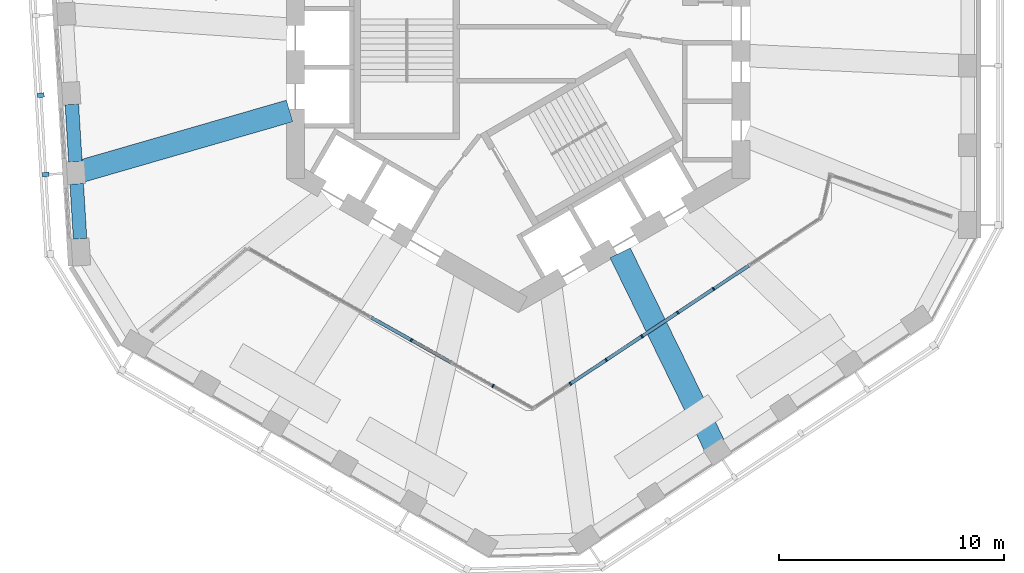
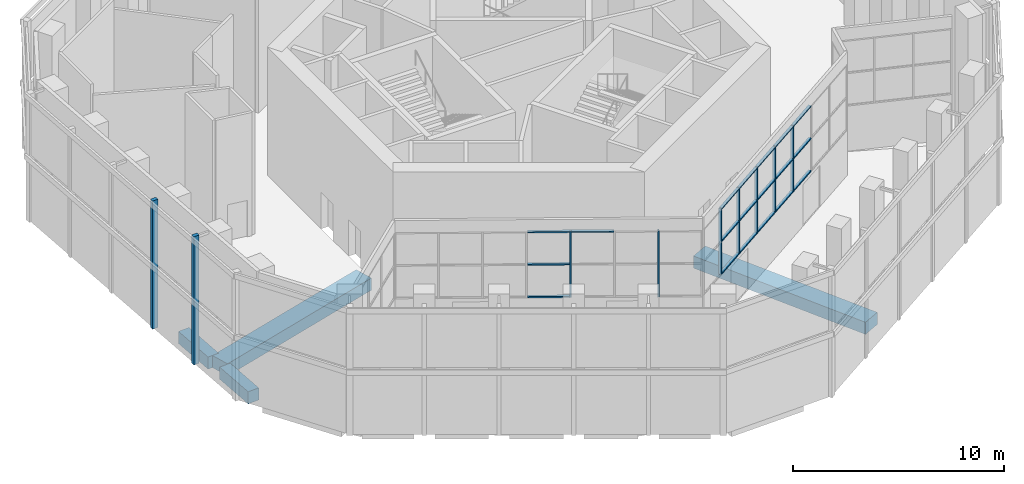
# One storey, part 3 of 17: 28 members, 4 beams, 3 elements without a shape of their own.
"""IFC4 building model written with IfcOpenShell, lengths in metres."""

from ifc_helpers import new_model, si_unit, direction, frame, origin, origin_2d, place, context, subcontext, project, spatial, rectangle, extrude, material, material_profile, profile_set, type_object, element, aggregate, save


model = new_model("IFC4")

# Units and contexts
model_context = context("Model", 3, precision=1e-05, world=origin(), true_north=direction((0.0, 1.0)))
body_context = subcontext(model_context, "Body", "Model", "MODEL_VIEW")
ifc_project = project(units=[si_unit("LENGTHUNIT", "METRE"), si_unit("AREAUNIT", "SQUARE_METRE"), si_unit("VOLUMEUNIT", "CUBIC_METRE"), si_unit("PLANEANGLEUNIT", "RADIAN"), si_unit("MASSUNIT", "GRAM", prefix="KILO")], contexts=[model_context])

# Site, building, storey
site_placement = place(None, origin())
site = spatial("IfcSite", under=ifc_project, at=site_placement, CompositionType="ELEMENT")
building_placement = place(site_placement, origin())
building = spatial("IfcBuilding", under=site, at=building_placement, Name="Vanh Sen Convention Tower", CompositionType="ELEMENT")
storey_placement = place(building_placement, frame((0.0, 0.0, 214.300048828125)))
storey = spatial("IfcBuildingStorey", under=building, at=storey_placement, Name="L53", CompositionType="ELEMENT", Elevation=214.300048828125)

# Curtain wall, members
ifc_material_1 = material(Name="Aluminium structural glazing system", Category="aluminium")
curtain_wall_type_1 = type_object("IfcCurtainWallType", Name="Sky garden structural glazing", PredefinedType="NOTDEFINED", material=ifc_material_1)
curtain_wall_1_placement = place(storey_placement, origin())
curtain_wall_1 = element("IfcCurtainWall", 1, at=curtain_wall_1_placement, inside=storey, type_object=curtain_wall_type_1, Name="Winter garden glazing 3 L53", PredefinedType="NOTDEFINED")
ifc_material_2 = material(Name="Aluminium mullion", Category="aluminium")
ifc_material_profile_1 = material_profile(ifc_material_2, rectangle(XDim=0.14990234375, YDim=0.070068359375, at=origin_2d()), Name="Garden glazing mullion 70 x 150")
ifc_profile_set_1 = profile_set([ifc_material_profile_1], Name="Aluminium mullion")
member_type_1 = type_object("IfcMemberType", Name="Garden glazing mullion 70 x 150", PredefinedType="MULLION", material=ifc_profile_set_1)
member_1_placement = place(storey_placement, frame((8.671875, -10.83935546875, 2.599853515625), z_axis=(0.0, 0.0, 1.0), x_axis=(0.551932223653, -0.833888973721, 0.0)))
member_1 = element("IfcMember", 2, at=member_1_placement, type_object=member_type_1, Name="CW5 mullion 4", PredefinedType="MULLION", context=body_context, shape_type="SweptSolid", body=[
    extrude(rectangle(XDim=0.14990234375, YDim=0.070068359375, at=origin_2d()), origin(), (0.0, 0.0, 1.0), 3.820068359375),
])
member_2_placement = place(storey_placement, frame((7.08251953125, -11.891357421875, 2.599853515625), z_axis=(0.0, 0.0, 1.0), x_axis=(0.551932223653, -0.833888973721, 0.0)))
member_2 = element("IfcMember", 3, at=member_2_placement, type_object=member_type_1, Name="CW5 mullion 5", PredefinedType="MULLION", context=body_context, shape_type="SweptSolid", body=[
    extrude(rectangle(XDim=0.14990234375, YDim=0.070068359375, at=origin_2d()), origin(), (0.0, 0.0, 1.0), 3.820068359375),
])
member_3_placement = place(storey_placement, frame((5.492919921875, -12.943359375, 2.599853515625), z_axis=(0.0, 0.0, 1.0), x_axis=(0.551932223653, -0.833888973721, 0.0)))
member_3 = element("IfcMember", 4, at=member_3_placement, type_object=member_type_1, Name="CW5 mullion 6", PredefinedType="MULLION", context=body_context, shape_type="SweptSolid", body=[
    extrude(rectangle(XDim=0.14990234375, YDim=0.070068359375, at=origin_2d()), origin(), (0.0, 0.0, 1.0), 3.820068359375),
])
member_4_placement = place(storey_placement, frame((3.903564453125, -13.995361328125, 2.599853515625), z_axis=(0.0, 0.0, 1.0), x_axis=(0.551932223653, -0.833888973721, 0.0)))
member_4 = element("IfcMember", 5, at=member_4_placement, type_object=member_type_1, Name="CW5 mullion 7", PredefinedType="MULLION", context=body_context, shape_type="SweptSolid", body=[
    extrude(rectangle(XDim=0.14990234375, YDim=0.070068359375, at=origin_2d()), origin(), (0.0, 0.0, 1.0), 3.820068359375),
])
member_5_placement = place(storey_placement, frame((2.31396484375, -15.04736328125, 2.599853515625), z_axis=(0.0, 0.0, 1.0), x_axis=(0.551932223653, -0.833888973721, 0.0)))
member_5 = element("IfcMember", 6, at=member_5_placement, type_object=member_type_1, Name="CW5 mullion 8", PredefinedType="MULLION", context=body_context, shape_type="SweptSolid", body=[
    extrude(rectangle(XDim=0.14990234375, YDim=0.070068359375, at=origin_2d()), origin(), (0.0, 0.0, 1.0), 3.820068359375),
])

curtain_wall_2_placement = place(storey_placement, origin())
curtain_wall_2 = element("IfcCurtainWall", 7, at=curtain_wall_2_placement, inside=storey, type_object=curtain_wall_type_1, Name="Winter garden glazing 4 L53", PredefinedType="NOTDEFINED")
member_6_placement = place(storey_placement, frame((-1.121826171875, -15.15234375, 2.599853515625), z_axis=(0.0, 0.0, 1.0), x_axis=(-0.490119958968, -0.871654992426, 0.0)))
member_6 = element("IfcMember", 8, at=member_6_placement, type_object=member_type_1, Name="CW5 mullion 2", PredefinedType="MULLION", context=body_context, shape_type="SweptSolid", body=[
    extrude(rectangle(XDim=0.14990234375, YDim=0.070068359375, at=origin_2d()), origin(), (0.0, 0.0, 1.0), 3.820068359375),
])
member_7_placement = place(storey_placement, frame((-4.745849609375, -13.114501953125, 2.599853515625), z_axis=(0.0, 0.0, 1.0), x_axis=(-0.490119958968, -0.871654992426, 0.0)))
member_7 = element("IfcMember", 9, at=member_7_placement, type_object=member_type_1, Name="CW5 mullion 4", PredefinedType="MULLION", context=body_context, shape_type="SweptSolid", body=[
    extrude(rectangle(XDim=0.14990234375, YDim=0.070068359375, at=origin_2d()), origin(), (0.0, 0.0, 1.0), 3.820068359375),
])

# Member
ifc_material_3 = material(Name="Aluminium transom", Category="aluminium")
ifc_material_profile_2 = material_profile(ifc_material_3, rectangle(XDim=0.14990234375, YDim=0.070068359375, at=origin_2d()), Name="Garden glazing transom 150 x 70")
ifc_profile_set_2 = profile_set([ifc_material_profile_2], Name="Aluminium transom")
member_type_2 = type_object("IfcMemberType", Name="Garden glazing transom 150 x 70", PredefinedType="USERDEFINED", material=ifc_profile_set_2)
member_8_placement = place(storey_placement, frame((10.232177734375, -9.806640625, 2.635009765625), z_axis=(-0.833866503842, -0.551966170857, 0.0), x_axis=(0.551966170857, -0.833866503842, 0.0)))
member_8 = element("IfcMember", 10, at=member_8_placement, type_object=member_type_2, Name="CW5 transom 3.1", ObjectType="TRANSOM", PredefinedType="USERDEFINED", context=body_context, shape_type="SweptSolid", body=[
    extrude(rectangle(XDim=0.14990234375, YDim=0.070068359375, at=origin_2d()), origin(), (0.0, 0.0, 1.0), 1.8359375),
])

member_9_placement = place(storey_placement, frame((10.232177734375, -9.806640625, 4.510009765625), z_axis=(-0.833866503842, -0.551966170857, 0.0), x_axis=(0.551966170857, -0.833866503842, 0.0)))
member_9 = element("IfcMember", 11, at=member_9_placement, type_object=member_type_2, Name="CW5 transom 3.2", ObjectType="TRANSOM", PredefinedType="USERDEFINED", context=body_context, shape_type="SweptSolid", body=[
    extrude(rectangle(XDim=0.14990234375, YDim=0.070068359375, at=origin_2d()), origin(), (0.0, 0.0, 1.0), 1.8359375),
])

member_10_placement = place(storey_placement, frame((10.232177734375, -9.806640625, 6.385009765625), z_axis=(-0.833866503842, -0.551966170857, 0.0), x_axis=(0.551966170857, -0.833866503842, 0.0)))
member_10 = element("IfcMember", 12, at=member_10_placement, type_object=member_type_2, Name="CW5 transom 3.3", ObjectType="TRANSOM", PredefinedType="USERDEFINED", context=body_context, shape_type="SweptSolid", body=[
    extrude(rectangle(XDim=0.14990234375, YDim=0.070068359375, at=origin_2d()), origin(), (0.0, 0.0, 1.0), 1.8359375),
])

member_11_placement = place(storey_placement, frame((8.642578125, -10.858642578125, 2.635009765625), z_axis=(-0.833866503842, -0.551966170857, 0.0), x_axis=(0.551966170857, -0.833866503842, 0.0)))
member_11 = element("IfcMember", 13, at=member_11_placement, type_object=member_type_2, Name="CW5 transom 4.1", ObjectType="TRANSOM", PredefinedType="USERDEFINED", context=body_context, shape_type="SweptSolid", body=[
    extrude(rectangle(XDim=0.14990234375, YDim=0.070068359375, at=origin_2d()), origin(), (0.0, 0.0, 1.0), 1.8359375),
])

member_12_placement = place(storey_placement, frame((8.642578125, -10.858642578125, 4.510009765625), z_axis=(-0.833866503842, -0.551966170857, 0.0), x_axis=(0.551966170857, -0.833866503842, 0.0)))
member_12 = element("IfcMember", 14, at=member_12_placement, type_object=member_type_2, Name="CW5 transom 4.2", ObjectType="TRANSOM", PredefinedType="USERDEFINED", context=body_context, shape_type="SweptSolid", body=[
    extrude(rectangle(XDim=0.14990234375, YDim=0.070068359375, at=origin_2d()), origin(), (0.0, 0.0, 1.0), 1.8359375),
])

member_13_placement = place(storey_placement, frame((8.642578125, -10.858642578125, 6.385009765625), z_axis=(-0.833866503842, -0.551966170857, 0.0), x_axis=(0.551966170857, -0.833866503842, 0.0)))
member_13 = element("IfcMember", 15, at=member_13_placement, type_object=member_type_2, Name="CW5 transom 4.3", ObjectType="TRANSOM", PredefinedType="USERDEFINED", context=body_context, shape_type="SweptSolid", body=[
    extrude(rectangle(XDim=0.14990234375, YDim=0.070068359375, at=origin_2d()), origin(), (0.0, 0.0, 1.0), 1.8359375),
])

member_14_placement = place(storey_placement, frame((7.05322265625, -11.91064453125, 2.635009765625), z_axis=(-0.833866503842, -0.551966170857, 0.0), x_axis=(0.551966170857, -0.833866503842, 0.0)))
member_14 = element("IfcMember", 16, at=member_14_placement, type_object=member_type_2, Name="CW5 transom 5.1", ObjectType="TRANSOM", PredefinedType="USERDEFINED", context=body_context, shape_type="SweptSolid", body=[
    extrude(rectangle(XDim=0.14990234375, YDim=0.070068359375, at=origin_2d()), origin(), (0.0, 0.0, 1.0), 1.8359375),
])

member_15_placement = place(storey_placement, frame((7.05322265625, -11.91064453125, 4.510009765625), z_axis=(-0.833866503842, -0.551966170857, 0.0), x_axis=(0.551966170857, -0.833866503842, 0.0)))
member_15 = element("IfcMember", 17, at=member_15_placement, type_object=member_type_2, Name="CW5 transom 5.2", ObjectType="TRANSOM", PredefinedType="USERDEFINED", context=body_context, shape_type="SweptSolid", body=[
    extrude(rectangle(XDim=0.14990234375, YDim=0.070068359375, at=origin_2d()), origin(), (0.0, 0.0, 1.0), 1.8359375),
])

member_16_placement = place(storey_placement, frame((7.05322265625, -11.91064453125, 6.385009765625), z_axis=(-0.833866503842, -0.551966170857, 0.0), x_axis=(0.551966170857, -0.833866503842, 0.0)))
member_16 = element("IfcMember", 18, at=member_16_placement, type_object=member_type_2, Name="CW5 transom 5.3", ObjectType="TRANSOM", PredefinedType="USERDEFINED", context=body_context, shape_type="SweptSolid", body=[
    extrude(rectangle(XDim=0.14990234375, YDim=0.070068359375, at=origin_2d()), origin(), (0.0, 0.0, 1.0), 1.8359375),
])

member_17_placement = place(storey_placement, frame((5.463623046875, -12.962646484375, 2.635009765625), z_axis=(-0.833866503842, -0.551966170857, 0.0), x_axis=(0.551966170857, -0.833866503842, 0.0)))
member_17 = element("IfcMember", 19, at=member_17_placement, type_object=member_type_2, Name="CW5 transom 6.1", ObjectType="TRANSOM", PredefinedType="USERDEFINED", context=body_context, shape_type="SweptSolid", body=[
    extrude(rectangle(XDim=0.14990234375, YDim=0.070068359375, at=origin_2d()), origin(), (0.0, 0.0, 1.0), 1.8359375),
])

member_18_placement = place(storey_placement, frame((5.463623046875, -12.962646484375, 4.510009765625), z_axis=(-0.833866503842, -0.551966170857, 0.0), x_axis=(0.551966170857, -0.833866503842, 0.0)))
member_18 = element("IfcMember", 20, at=member_18_placement, type_object=member_type_2, Name="CW5 transom 6.2", ObjectType="TRANSOM", PredefinedType="USERDEFINED", context=body_context, shape_type="SweptSolid", body=[
    extrude(rectangle(XDim=0.14990234375, YDim=0.070068359375, at=origin_2d()), origin(), (0.0, 0.0, 1.0), 1.8359375),
])

member_19_placement = place(storey_placement, frame((5.463623046875, -12.962646484375, 6.385009765625), z_axis=(-0.833866503842, -0.551966170857, 0.0), x_axis=(0.551966170857, -0.833866503842, 0.0)))
member_19 = element("IfcMember", 21, at=member_19_placement, type_object=member_type_2, Name="CW5 transom 6.3", ObjectType="TRANSOM", PredefinedType="USERDEFINED", context=body_context, shape_type="SweptSolid", body=[
    extrude(rectangle(XDim=0.14990234375, YDim=0.070068359375, at=origin_2d()), origin(), (0.0, 0.0, 1.0), 1.8359375),
])

member_20_placement = place(storey_placement, frame((3.874267578125, -14.0146484375, 2.635009765625), z_axis=(-0.833866503842, -0.551966170857, 0.0), x_axis=(0.551966170857, -0.833866503842, 0.0)))
member_20 = element("IfcMember", 22, at=member_20_placement, type_object=member_type_2, Name="CW5 transom 7.1", ObjectType="TRANSOM", PredefinedType="USERDEFINED", context=body_context, shape_type="SweptSolid", body=[
    extrude(rectangle(XDim=0.14990234375, YDim=0.070068359375, at=origin_2d()), origin(), (0.0, 0.0, 1.0), 1.8359375),
])

member_21_placement = place(storey_placement, frame((3.874267578125, -14.0146484375, 4.510009765625), z_axis=(-0.833866503842, -0.551966170857, 0.0), x_axis=(0.551966170857, -0.833866503842, 0.0)))
member_21 = element("IfcMember", 23, at=member_21_placement, type_object=member_type_2, Name="CW5 transom 7.2", ObjectType="TRANSOM", PredefinedType="USERDEFINED", context=body_context, shape_type="SweptSolid", body=[
    extrude(rectangle(XDim=0.14990234375, YDim=0.070068359375, at=origin_2d()), origin(), (0.0, 0.0, 1.0), 1.8359375),
])

member_22_placement = place(storey_placement, frame((3.874267578125, -14.0146484375, 6.385009765625), z_axis=(-0.833866503842, -0.551966170857, 0.0), x_axis=(0.551966170857, -0.833866503842, 0.0)))
member_22 = element("IfcMember", 24, at=member_22_placement, type_object=member_type_2, Name="CW5 transom 7.3", ObjectType="TRANSOM", PredefinedType="USERDEFINED", context=body_context, shape_type="SweptSolid", body=[
    extrude(rectangle(XDim=0.14990234375, YDim=0.070068359375, at=origin_2d()), origin(), (0.0, 0.0, 1.0), 1.8359375),
])

aggregate(curtain_wall_1, [member_1, member_2, member_3, member_4, member_5, member_8, member_9, member_10, member_11, member_12, member_13, member_14, member_15, member_16, member_17, member_18, member_19, member_20, member_21, member_22])

member_23_placement = place(storey_placement, frame((-2.96435546875, -14.1162109375, 6.385009765625), z_axis=(-0.871692364884, 0.490053487899, 0.0), x_axis=(-0.490053487899, -0.871692364884, 0.0)))
member_23 = element("IfcMember", 25, at=member_23_placement, type_object=member_type_2, Name="CW5 transom 3.3", ObjectType="TRANSOM", PredefinedType="USERDEFINED", context=body_context, shape_type="SweptSolid", body=[
    extrude(rectangle(XDim=0.14990234375, YDim=0.070068359375, at=origin_2d()), origin(), (0.0, 0.0, 1.0), 2.0087890625),
])

member_24_placement = place(storey_placement, frame((-4.7763671875, -13.097412109375, 2.635009765625), z_axis=(-0.871640443683, 0.490145832316, 0.0), x_axis=(-0.490145832316, -0.871640443683, 0.0)))
member_24 = element("IfcMember", 26, at=member_24_placement, type_object=member_type_2, Name="CW5 transom 4.1", ObjectType="TRANSOM", PredefinedType="USERDEFINED", context=body_context, shape_type="SweptSolid", body=[
    extrude(rectangle(XDim=0.14990234375, YDim=0.070068359375, at=origin_2d()), origin(), (0.0, 0.0, 1.0), 2.0087890625),
])

member_25_placement = place(storey_placement, frame((-4.7763671875, -13.097412109375, 4.510009765625), z_axis=(-0.871640443683, 0.490145832316, 0.0), x_axis=(-0.490145832316, -0.871640443683, 0.0)))
member_25 = element("IfcMember", 27, at=member_25_placement, type_object=member_type_2, Name="CW5 transom 4.2", ObjectType="TRANSOM", PredefinedType="USERDEFINED", context=body_context, shape_type="SweptSolid", body=[
    extrude(rectangle(XDim=0.14990234375, YDim=0.070068359375, at=origin_2d()), origin(), (0.0, 0.0, 1.0), 2.0087890625),
])

member_26_placement = place(storey_placement, frame((-4.7763671875, -13.097412109375, 6.385009765625), z_axis=(-0.871640443683, 0.490145832316, 0.0), x_axis=(-0.490145832316, -0.871640443683, 0.0)))
member_26 = element("IfcMember", 28, at=member_26_placement, type_object=member_type_2, Name="CW5 transom 4.3", ObjectType="TRANSOM", PredefinedType="USERDEFINED", context=body_context, shape_type="SweptSolid", body=[
    extrude(rectangle(XDim=0.14990234375, YDim=0.070068359375, at=origin_2d()), origin(), (0.0, 0.0, 1.0), 2.0087890625),
])

aggregate(curtain_wall_2, [member_6, member_7, member_23, member_24, member_25, member_26])

# Curtain wall, members
ifc_material_4 = material(Name="Concrete C50/60", Category="concrete")
curtain_wall_type_2 = type_object("IfcCurtainWallType", Name="Outer skin office zone", PredefinedType="NOTDEFINED", material=ifc_material_4)
curtain_wall_3_placement = place(storey_placement, origin())
curtain_wall_3 = element("IfcCurtainWall", 29, at=curtain_wall_3_placement, inside=storey, type_object=curtain_wall_type_2, Name="OUTER SKIN W L53", PredefinedType="NOTDEFINED")
ifc_material_profile_3 = material_profile(ifc_material_4, rectangle(XDim=0.199951171875, YDim=0.300048828125, at=origin_2d()), Name="Outer skin precast fin 200 x 300")
ifc_profile_set_3 = profile_set([ifc_material_profile_3], Name="Concrete C50/60")
member_type_3 = type_object("IfcMemberType", Name="Outer skin precast fin 200 x 300", PredefinedType="MULLION", material=ifc_profile_set_3)
member_27_placement = place(storey_placement, frame((-21.203125, -2.234130859375, 0.0), z_axis=(0.0, 0.0, 1.0), x_axis=(0.061048539535, -0.998134798422, 0.0)))
member_27 = element("IfcMember", 30, at=member_27_placement, type_object=member_type_3, Name="OUTER SKIN fin 4 W L53", PredefinedType="MULLION", context=body_context, shape_type="SweptSolid", body=[
    extrude(rectangle(XDim=0.199951171875, YDim=0.300048828125, at=origin_2d()), origin(), (0.0, 0.0, 1.0), 7.39990234375),
])
member_28_placement = place(storey_placement, frame((-20.987548828125, -5.760986328125, 0.0), z_axis=(0.0, 0.0, 1.0), x_axis=(0.061048539535, -0.998134798422, 0.0)))
member_28 = element("IfcMember", 31, at=member_28_placement, type_object=member_type_3, Name="OUTER SKIN fin 5 W L53", PredefinedType="MULLION", context=body_context, shape_type="SweptSolid", body=[
    extrude(rectangle(XDim=0.199951171875, YDim=0.300048828125, at=origin_2d()), origin(), (0.0, 0.0, 1.0), 7.39990234375),
])
aggregate(curtain_wall_3, [member_27, member_28])

# Beams
ifc_material_5 = material(Name="Concrete C50/60", Category="concrete")
ifc_material_profile_4 = material_profile(ifc_material_5, rectangle(XDim=1.0, YDim=0.699951171875, at=origin_2d()), Name="RC 1000X700")
ifc_profile_set_4 = profile_set([ifc_material_profile_4], Name="Concrete C50/60")
beam_type_1 = type_object("IfcBeamType", Name="Radial floor beam 1000 x 700", PredefinedType="BEAM", material=ifc_profile_set_4)
beam_1_placement = place(storey_placement, frame((-19.591796875, -5.664794921875, -0.699951171875), z_axis=(0.960647732033, 0.277769571659, 0.0), x_axis=(-0.277769571659, 0.960647732033, 0.0)))
element("IfcBeam", 32, at=beam_1_placement, inside=storey, type_object=beam_type_1, Name="Radial beam 12 L53", PredefinedType="BEAM", context=body_context, shape_type="SweptSolid", body=[
    extrude(rectangle(XDim=1.0, YDim=0.699951171875, at=origin_2d()), origin(), (0.0, 0.0, 1.0), 9.822021484375),
])
beam_2_placement = place(storey_placement, frame((8.83251953125, -18.04541015625, -0.699951171875), z_axis=(-0.439628935164, 0.898179491731, 0.0), x_axis=(-0.898179491731, -0.439628935164, 0.0)))
element("IfcBeam", 33, at=beam_2_placement, inside=storey, type_object=beam_type_1, Name="Radial beam 17 L53", PredefinedType="BEAM", context=body_context, shape_type="SweptSolid", body=[
    extrude(rectangle(XDim=1.0, YDim=0.699951171875, at=origin_2d()), origin(), (0.0, 0.0, 1.0), 9.80615234375),
])
ifc_material_profile_5 = material_profile(ifc_material_5, rectangle(XDim=0.60009765625, YDim=0.699951171875, at=origin_2d()), Name="RC 600X700")
ifc_profile_set_5 = profile_set([ifc_material_profile_5], Name="Concrete C50/60")
beam_type_2 = type_object("IfcBeamType", Name="Spandrel beam 600 x 700", PredefinedType="SPANDREL", material=ifc_profile_set_5)
beam_3_placement = place(storey_placement, frame((-19.825439453125, -2.645751953125, -0.699951171875), z_axis=(0.061039814536, -0.998135332027, 0.0), x_axis=(0.998135332027, 0.061039814536, 0.0)))
element("IfcBeam", 34, at=beam_3_placement, inside=storey, type_object=beam_type_2, Name="Spandrel beam 22 L53", PredefinedType="SPANDREL", context=body_context, shape_type="SweptSolid", body=[
    extrude(rectangle(XDim=0.60009765625, YDim=0.699951171875, at=origin_2d()), origin(), (0.0, 0.0, 1.0), 2.543701171875),
])
beam_4_placement = place(storey_placement, frame((-19.60986328125, -6.172607421875, -0.699951171875), z_axis=(0.061140531541, -0.998129167695, 0.0), x_axis=(0.998129167695, 0.061140531541, 0.0)))
element("IfcBeam", 35, at=beam_4_placement, inside=storey, type_object=beam_type_2, Name="Spandrel beam 23 L53", PredefinedType="SPANDREL", context=body_context, shape_type="SweptSolid", body=[
    extrude(rectangle(XDim=0.60009765625, YDim=0.699951171875, at=origin_2d()), origin(), (0.0, 0.0, 1.0), 2.44384765625),
])

save(model, "model.ifc")
